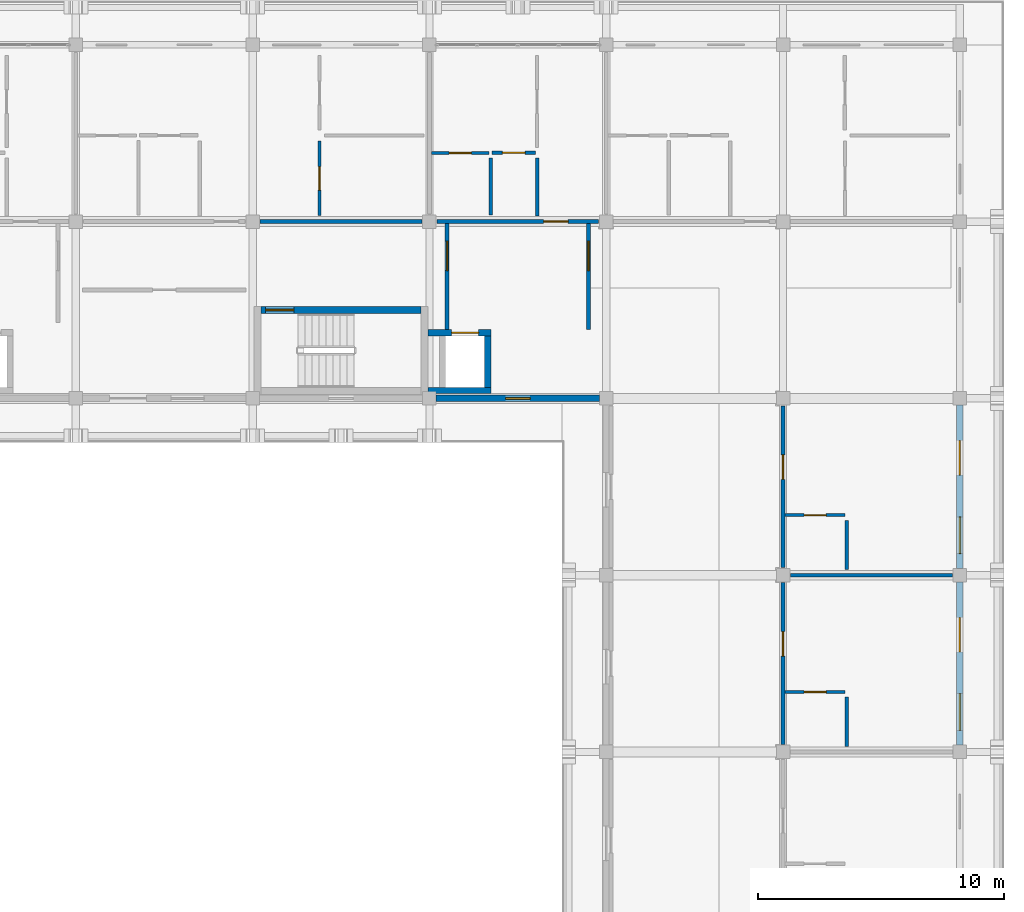
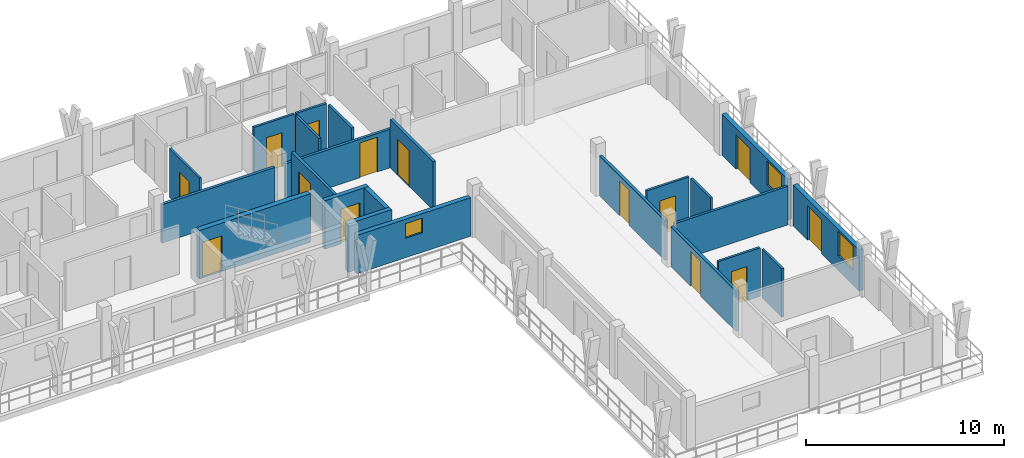
# One storey, part 51 of 67: 23 walls, 14 doors, 3 windows, 17 openings.
"""IFC4 building model written with IfcOpenShell, lengths in metres."""

from ifc_helpers import new_model, si_unit, direction, frame, frame_2d, origin, place, context, subcontext, project, spatial, rectangle, extrude, material, layer, layer_set, type_object, element, fill, save


model = new_model("IFC4")

# Units and contexts
model_context = context("Model", 3, precision=1e-05, world=origin(), true_north=direction((0.0, 1.0)))
body_context = subcontext(model_context, "Body", "Model", "MODEL_VIEW")
ifc_project = project(units=[si_unit("LENGTHUNIT", "METRE"), si_unit("AREAUNIT", "SQUARE_METRE"), si_unit("VOLUMEUNIT", "CUBIC_METRE"), si_unit("PLANEANGLEUNIT", "RADIAN"), si_unit("MASSUNIT", "GRAM", prefix="KILO")], contexts=[model_context])

# Site, building, storey
site_placement = place(None, origin())
site = spatial("IfcSite", under=ifc_project, at=site_placement, CompositionType="ELEMENT")
building_placement = place(site_placement, origin())
building = spatial("IfcBuilding", under=site, at=building_placement, Name="Suanplinth Sawtooth Commons", CompositionType="ELEMENT")
storey_placement = place(building_placement, frame((0.0, 0.0, 25.10009765625)))
storey = spatial("IfcBuildingStorey", under=building, at=storey_placement, Name="L07", CompositionType="ELEMENT", Elevation=25.10009765625)

# Wall, opening, door
ifc_material_1 = material(Name="Concrete C40/50", Category="concrete")
ifc_layer_1 = layer(ifc_material_1, 0.300048828125, Name="Standard RC stair and lift core wall 300mm")
ifc_layer_set_1 = layer_set([ifc_layer_1], Name="Concrete C40/50")
wall_type_1 = type_object("IfcWallType", Name="W-CR02", PredefinedType="SHEAR", material=ifc_layer_set_1)
wall_1_placement = place(storey_placement, frame((158.75, 111.60009765625, 0.0), z_axis=(0.0, 0.0, 1.0), x_axis=(1.0, 0.0, 0.0)))
wall_1 = element("IfcWall", 1, at=wall_1_placement, inside=storey, type_object=wall_type_1, Name="W-L07-C-B2-STN", PredefinedType="SHEAR", context=body_context, shape_type="SweptSolid", body=[
    extrude(rectangle(XDim=6.5, YDim=0.300048828125, at=frame_2d((3.25, 0.0))), origin(), (0.0, 0.0, 1.0), 2.989990234375),
])
opening_1_placement = place(wall_1_placement, frame((0.179931640625, 0.0, 0.0)))
opening_1 = element("IfcOpeningElement", 2, at=opening_1_placement, cuts=wall_1, Name="Opening FD0252", PredefinedType="OPENING", context=body_context, shape_type="SweptSolid", body=[
    extrude(rectangle(XDim=1.14990234375, YDim=2.199951171875, at=frame_2d((0.574951171875, 1.10009765625))), frame((0.0, 0.1650390625, 0.0), z_axis=(0.0, -1.0, 0.0), x_axis=(1.0, 0.0, 0.0)), (0.0, 0.0, 1.0), 0.329833984375),
])
ifc_material_2 = material(Name="Teak hardwood fire-rated door assembly", Category="wood")
door_type_1 = type_object("IfcDoorType", Name="FD-01", OperationType="NOTDEFINED", PredefinedType="DOOR", material=ifc_material_2)
door_1_placement = place(opening_1_placement, frame((1.14990234375, 0.0, 0.0), z_axis=(0.0, 0.0, 1.0), x_axis=(-1.0, 0.0, 0.0)))
door_1 = element("IfcDoor", 3, at=door_1_placement, inside=storey, type_object=door_type_1, Name="Exit Stair Fire Door FD0252", OperationType="SINGLE_SWING_LEFT", OverallHeight=2.199951171875, OverallWidth=1.14990234375, PredefinedType="DOOR", context=body_context, shape_type="SweptSolid", body=[
    extrude(rectangle(XDim=1.14990234375, YDim=2.199951171875, at=frame_2d((0.574951171875, 1.10009765625))), frame((0.0, 0.02490234375, 0.0), z_axis=(0.0, -1.0, 0.0), x_axis=(1.0, 0.0, 0.0)), (0.0, 0.0, 1.0), 0.050048828125),
])
fill(opening_1, door_1)

# Wall, opening, window
ifc_material_3 = material(Name="Precast concrete C40/50", Category="concrete")
ifc_layer_2 = layer(ifc_material_3, 0.260009765625, Name="Insulated precast courtyard facade wall 260mm")
ifc_layer_set_2 = layer_set([ifc_layer_2], Name="Precast concrete C40/50")
wall_type_2 = type_object("IfcWallType", Name="W-EX02", PredefinedType="ELEMENTEDWALL", material=ifc_layer_set_2)
wall_2_placement = place(storey_placement, frame((165.875, 108.0, 0.0), z_axis=(0.0, 0.0, 1.0), x_axis=(1.0, 0.0, 0.0)))
wall_2 = element("IfcWall", 4, at=wall_2_placement, inside=storey, type_object=wall_type_2, Name="Facade Wall W-L07-B-S-23-15", PredefinedType="ELEMENTEDWALL", context=body_context, shape_type="SweptSolid", body=[
    extrude(rectangle(XDim=6.64990234375, YDim=0.260009765625, at=frame_2d((3.324951171875, 0.0))), origin(), (0.0, 0.0, 1.0), 2.375),
])
opening_2_placement = place(wall_2_placement, frame((2.824951171875, 0.0, 1.199951171875)))
opening_2 = element("IfcOpeningElement", 5, at=opening_2_placement, cuts=wall_2, Name="Opening W0663", PredefinedType="OPENING", context=body_context, shape_type="SweptSolid", body=[
    extrude(rectangle(XDim=1.0, YDim=0.89990234375, at=frame_2d((0.5, 0.449951171875))), frame((0.0, 0.14501953125, 0.0), z_axis=(0.0, -1.0, 0.0), x_axis=(1.0, 0.0, 0.0)), (0.0, 0.0, 1.0), 0.289794921875),
])
ifc_material_4 = material(Name="Thermally broken aluminium and low-E double glazing", Category="aluminium")
window_type_1 = type_object("IfcWindowType", Name="WN-12", PartitioningType="SINGLE_PANEL", PredefinedType="WINDOW", material=ifc_material_4)
window_1_placement = place(opening_2_placement, origin())
window_1 = element("IfcWindow", 6, at=window_1_placement, inside=storey, type_object=window_type_1, Name="Core Daylight Window L07-B-23-15", OverallHeight=0.89990234375, OverallWidth=1.0, PartitioningType="SINGLE_PANEL", PredefinedType="WINDOW", context=body_context, shape_type="SweptSolid", body=[
    extrude(rectangle(XDim=1.0, YDim=0.89990234375, at=frame_2d((0.5, 0.449951171875))), frame((0.0, 0.030029296875, 0.0), z_axis=(0.0, -1.0, 0.0), x_axis=(1.0, 0.0, 0.0)), (0.0, 0.0, 1.0), 0.06005859375),
])
fill(opening_2, window_1)

# Wall, openings, door, window
wall_3_placement = place(storey_placement, frame((187.199951171875, 93.875, 0.0), z_axis=(0.0, 0.0, 1.0), x_axis=(0.0, 1.0, 0.0)))
wall_3 = element("IfcWall", 7, at=wall_3_placement, inside=storey, type_object=wall_type_2, Name="Facade Wall W-L07-B-E-25-13", PredefinedType="ELEMENTEDWALL", context=body_context, shape_type="SweptSolid", body=[
    extrude(rectangle(XDim=6.64990234375, YDim=0.260009765625, at=frame_2d((3.324951171875, 0.0))), origin(), (0.0, 0.0, 1.0), 2.52490234375),
])
opening_3_placement = place(wall_3_placement, frame((3.800048828125, 0.0, 0.0)))
opening_3 = element("IfcOpeningElement", 8, at=opening_3_placement, cuts=wall_3, Name="Opening ED0586", PredefinedType="OPENING", context=body_context, shape_type="SweptSolid", body=[
    extrude(rectangle(XDim=1.39990234375, YDim=2.10009765625, at=frame_2d((0.699951171875, 1.050048828125))), frame((0.0, 0.14501953125, 0.0), z_axis=(0.0, -1.0, 0.0), x_axis=(1.0, 0.0, 0.0)), (0.0, 0.0, 1.0), 0.289794921875),
])
opening_4_placement = place(wall_3_placement, frame((0.60009765625, 0.0, 0.9150390625)))
opening_4 = element("IfcOpeningElement", 9, at=opening_4_placement, cuts=wall_3, Name="Opening W0667", PredefinedType="OPENING", context=body_context, shape_type="SweptSolid", body=[
    extrude(rectangle(XDim=1.5, YDim=1.5, at=frame_2d((0.75, 0.75))), frame((0.0, 0.14501953125, 0.0), z_axis=(0.0, -1.0, 0.0), x_axis=(1.0, 0.0, 0.0)), (0.0, 0.0, 1.0), 0.289794921875),
])
ifc_material_5 = material(Name="Anodized aluminium and low-E glass", Category="aluminium")
door_type_2 = type_object("IfcDoorType", Name="SD-07", OperationType="SLIDING_TO_RIGHT", PredefinedType="DOOR", material=ifc_material_5)
door_2_placement = place(opening_3_placement, frame((1.39990234375, 0.0, 0.0), z_axis=(0.0, 0.0, 1.0), x_axis=(-1.0, 0.0, 0.0)))
door_2 = element("IfcDoor", 10, at=door_2_placement, inside=storey, type_object=door_type_2, Name="Wing Balcony Sliding Door L07-B-13", OperationType="SLIDING_TO_RIGHT", OverallHeight=2.10009765625, OverallWidth=1.39990234375, PredefinedType="DOOR", context=body_context, shape_type="SweptSolid", body=[
    extrude(rectangle(XDim=1.39990234375, YDim=2.10009765625, at=frame_2d((0.699951171875, 1.050048828125))), frame((0.0, 0.02490234375, 0.0), z_axis=(0.0, -1.0, 0.0), x_axis=(1.0, 0.0, 0.0)), (0.0, 0.0, 1.0), 0.050048828125),
])
fill(opening_3, door_2)
window_type_2 = type_object("IfcWindowType", Name="WN-02", PartitioningType="DOUBLE_PANEL_VERTICAL", PredefinedType="WINDOW", material=ifc_material_4)
window_2_placement = place(opening_4_placement, origin())
window_2 = element("IfcWindow", 11, at=window_2_placement, inside=storey, type_object=window_type_2, Name="Wing Window L07-B-13", OverallHeight=1.5, OverallWidth=1.5, PartitioningType="DOUBLE_PANEL_VERTICAL", PredefinedType="WINDOW", context=body_context, shape_type="SweptSolid", body=[
    extrude(rectangle(XDim=1.5, YDim=1.5, at=frame_2d((0.75, 0.75))), frame((0.0, 0.030029296875, 0.0), z_axis=(0.0, -1.0, 0.0), x_axis=(1.0, 0.0, 0.0)), (0.0, 0.0, 1.0), 0.06005859375),
])
fill(opening_4, window_2)

wall_4_placement = place(storey_placement, frame((187.199951171875, 101.074951171875, 0.0), z_axis=(0.0, 0.0, 1.0), x_axis=(0.0, 1.0, 0.0)))
wall_4 = element("IfcWall", 12, at=wall_4_placement, inside=storey, type_object=wall_type_2, Name="Facade Wall W-L07-B-E-25-14", PredefinedType="ELEMENTEDWALL", context=body_context, shape_type="SweptSolid", body=[
    extrude(rectangle(XDim=6.650146484375, YDim=0.260009765625, at=frame_2d((3.3251953125, 0.0))), origin(), (0.0, 0.0, 1.0), 2.52490234375),
])
opening_5_placement = place(wall_4_placement, frame((3.800048828125, 0.0, 0.0)))
opening_5 = element("IfcOpeningElement", 13, at=opening_5_placement, cuts=wall_4, Name="Opening ED0587", PredefinedType="OPENING", context=body_context, shape_type="SweptSolid", body=[
    extrude(rectangle(XDim=1.39990234375, YDim=2.10009765625, at=frame_2d((0.699951171875, 1.050048828125))), frame((0.0, 0.14501953125, 0.0), z_axis=(0.0, -1.0, 0.0), x_axis=(1.0, 0.0, 0.0)), (0.0, 0.0, 1.0), 0.289794921875),
])
opening_6_placement = place(wall_4_placement, frame((0.60009765625, 0.0, 0.9150390625)))
opening_6 = element("IfcOpeningElement", 14, at=opening_6_placement, cuts=wall_4, Name="Opening W0668", PredefinedType="OPENING", context=body_context, shape_type="SweptSolid", body=[
    extrude(rectangle(XDim=1.5, YDim=1.5, at=frame_2d((0.75, 0.75))), frame((0.0, 0.14501953125, 0.0), z_axis=(0.0, -1.0, 0.0), x_axis=(1.0, 0.0, 0.0)), (0.0, 0.0, 1.0), 0.289794921875),
])
door_3_placement = place(opening_5_placement, frame((1.39990234375, 0.0, 0.0), z_axis=(0.0, 0.0, 1.0), x_axis=(-1.0, 0.0, 0.0)))
door_3 = element("IfcDoor", 15, at=door_3_placement, inside=storey, type_object=door_type_2, Name="Wing Balcony Sliding Door L07-B-14", OperationType="SLIDING_TO_RIGHT", OverallHeight=2.10009765625, OverallWidth=1.39990234375, PredefinedType="DOOR", context=body_context, shape_type="SweptSolid", body=[
    extrude(rectangle(XDim=1.39990234375, YDim=2.10009765625, at=frame_2d((0.699951171875, 1.050048828125))), frame((0.0, 0.02490234375, 0.0), z_axis=(0.0, -1.0, 0.0), x_axis=(1.0, 0.0, 0.0)), (0.0, 0.0, 1.0), 0.050048828125),
])
fill(opening_5, door_3)
window_3_placement = place(opening_6_placement, origin())
window_3 = element("IfcWindow", 16, at=window_3_placement, inside=storey, type_object=window_type_2, Name="Wing Window L07-B-14", OverallHeight=1.5, OverallWidth=1.5, PartitioningType="DOUBLE_PANEL_VERTICAL", PredefinedType="WINDOW", context=body_context, shape_type="SweptSolid", body=[
    extrude(rectangle(XDim=1.5, YDim=1.5, at=frame_2d((0.75, 0.75))), frame((0.0, 0.030029296875, 0.0), z_axis=(0.0, -1.0, 0.0), x_axis=(1.0, 0.0, 0.0)), (0.0, 0.0, 1.0), 0.06005859375),
])
fill(opening_6, window_3)

# Wall, opening, door
ifc_layer_3 = layer(ifc_material_3, 0.159912109375, Name="Fire-rated corridor and lobby wall 160mm")
ifc_layer_set_3 = layer_set([ifc_layer_3], Name="Precast concrete C40/50")
wall_type_3 = type_object("IfcWallType", Name="W-FW01", PredefinedType="PARTITIONING", material=ifc_layer_set_3)
wall_5_placement = place(storey_placement, frame((166.320068359375, 110.800048828125, 0.0), z_axis=(0.0, 0.0, 1.0), x_axis=(0.0, 1.0, 0.0)))
wall_5 = element("IfcWall", 17, at=wall_5_placement, inside=storey, type_object=wall_type_3, Name="W-L07-C-B2-LOB-W", PredefinedType="PARTITIONING", context=body_context, shape_type="SweptSolid", body=[
    extrude(rectangle(XDim=4.320068359375, YDim=0.159912109375, at=frame_2d((2.16015625, 0.0))), origin(), (0.0, 0.0, 1.0), 2.989990234375),
])
opening_7_placement = place(wall_5_placement, frame((2.39990234375, 0.0, 0.0)))
opening_7 = element("IfcOpeningElement", 18, at=opening_7_placement, cuts=wall_5, Name="Opening FD0253", PredefinedType="OPENING", context=body_context, shape_type="SweptSolid", body=[
    extrude(rectangle(XDim=1.199951171875, YDim=2.199951171875, at=frame_2d((0.60009765625, 1.10009765625))), frame((0.0, 0.0947265625, 0.0), z_axis=(0.0, -1.0, 0.0), x_axis=(1.0, 0.0, 0.0)), (0.0, 0.0, 1.0), 0.189697265625),
])
door_type_3 = type_object("IfcDoorType", Name="FD-02", OperationType="NOTDEFINED", PredefinedType="DOOR", material=ifc_material_2)
door_4_placement = place(opening_7_placement, origin())
door_4 = element("IfcDoor", 19, at=door_4_placement, inside=storey, type_object=door_type_3, Name="Lobby Fire Door FD0253", OperationType="SINGLE_SWING_RIGHT", OverallHeight=2.199951171875, OverallWidth=1.199951171875, PredefinedType="DOOR", context=body_context, shape_type="SweptSolid", body=[
    extrude(rectangle(XDim=1.199951171875, YDim=2.199951171875, at=frame_2d((0.60009765625, 1.10009765625))), frame((0.0, 0.02490234375, 0.0), z_axis=(0.0, -1.0, 0.0), x_axis=(1.0, 0.0, 0.0)), (0.0, 0.0, 1.0), 0.050048828125),
])
fill(opening_7, door_4)

wall_6_placement = place(storey_placement, frame((172.080078125, 110.800048828125, 0.0), z_axis=(0.0, 0.0, 1.0), x_axis=(0.0, 1.0, 0.0)))
wall_6 = element("IfcWall", 20, at=wall_6_placement, inside=storey, type_object=wall_type_3, Name="W-L07-C-B2-LOB-E", PredefinedType="PARTITIONING", context=body_context, shape_type="SweptSolid", body=[
    extrude(rectangle(XDim=4.320068359375, YDim=0.159912109375, at=frame_2d((2.16015625, 0.0))), origin(), (0.0, 0.0, 1.0), 2.989990234375),
])
opening_8_placement = place(wall_6_placement, frame((2.39990234375, 0.0, 0.0)))
opening_8 = element("IfcOpeningElement", 21, at=opening_8_placement, cuts=wall_6, Name="Opening FD0254", PredefinedType="OPENING", context=body_context, shape_type="SweptSolid", body=[
    extrude(rectangle(XDim=1.199951171875, YDim=2.199951171875, at=frame_2d((0.60009765625, 1.10009765625))), frame((0.0, 0.0947265625, 0.0), z_axis=(0.0, -1.0, 0.0), x_axis=(1.0, 0.0, 0.0)), (0.0, 0.0, 1.0), 0.189697265625),
])
door_5_placement = place(opening_8_placement, frame((1.199951171875, 0.0, 0.0), z_axis=(0.0, 0.0, 1.0), x_axis=(-1.0, 0.0, 0.0)))
door_5 = element("IfcDoor", 22, at=door_5_placement, inside=storey, type_object=door_type_3, Name="Lobby Fire Door FD0254", OperationType="SINGLE_SWING_LEFT", OverallHeight=2.199951171875, OverallWidth=1.199951171875, PredefinedType="DOOR", context=body_context, shape_type="SweptSolid", body=[
    extrude(rectangle(XDim=1.199951171875, YDim=2.199951171875, at=frame_2d((0.60009765625, 1.10009765625))), frame((0.0, 0.02490234375, 0.0), z_axis=(0.0, -1.0, 0.0), x_axis=(1.0, 0.0, 0.0)), (0.0, 0.0, 1.0), 0.050048828125),
])
fill(opening_8, door_5)

# Wall
wall_7_placement = place(storey_placement, frame((158.705078125, 115.199951171875, 0.0), z_axis=(0.0, 0.0, 1.0), x_axis=(1.0, 0.0, 0.0)))
element("IfcWall", 23, at=wall_7_placement, inside=storey, type_object=wall_type_3, Name="W-B-L07-U03-COR-S2", PredefinedType="PARTITIONING", context=body_context, shape_type="SweptSolid", body=[
    extrude(rectangle(XDim=6.58984375, YDim=0.159912109375, at=frame_2d((3.294921875, 0.0))), origin(), (0.0, 0.0, 1.0), 2.375),
])

# Wall, opening, door
wall_8_placement = place(storey_placement, frame((165.905029296875, 115.199951171875, 0.0), z_axis=(0.0, 0.0, 1.0), x_axis=(1.0, 0.0, 0.0)))
wall_8 = element("IfcWall", 24, at=wall_8_placement, inside=storey, type_object=wall_type_3, Name="W-B-L07-U04-COR", PredefinedType="PARTITIONING", context=body_context, shape_type="SweptSolid", body=[
    extrude(rectangle(XDim=6.590087890625, YDim=0.159912109375, at=frame_2d((3.294921875, 0.0))), origin(), (0.0, 0.0, 1.0), 2.375),
])
opening_9_placement = place(wall_8_placement, frame((4.344970703125, 0.0, 0.0)))
opening_9 = element("IfcOpeningElement", 25, at=opening_9_placement, cuts=wall_8, Name="Opening FD1553", PredefinedType="OPENING", context=body_context, shape_type="SweptSolid", body=[
    extrude(rectangle(XDim=1.0, YDim=2.14990234375, at=frame_2d((0.5, 1.074951171875))), frame((0.0, 0.0947265625, 0.0), z_axis=(0.0, -1.0, 0.0), x_axis=(1.0, 0.0, 0.0)), (0.0, 0.0, 1.0), 0.189697265625),
])
door_type_4 = type_object("IfcDoorType", Name="FD-03", OperationType="NOTDEFINED", PredefinedType="DOOR", material=ifc_material_2)
door_6_placement = place(opening_9_placement, origin())
door_6 = element("IfcDoor", 26, at=door_6_placement, inside=storey, type_object=door_type_4, Name="Unit Entrance Door FD1553", OperationType="SINGLE_SWING_LEFT", OverallHeight=2.14990234375, OverallWidth=1.0, PredefinedType="DOOR", context=body_context, shape_type="SweptSolid", body=[
    extrude(rectangle(XDim=1.0, YDim=2.14990234375, at=frame_2d((0.5, 1.074951171875))), frame((0.0, 0.02490234375, 0.0), z_axis=(0.0, -1.0, 0.0), x_axis=(1.0, 0.0, 0.0)), (0.0, 0.0, 1.0), 0.050048828125),
])
fill(opening_9, door_6)

wall_9_placement = place(storey_placement, frame((180.0, 93.905029296875, 0.0), z_axis=(0.0, 0.0, 1.0), x_axis=(0.0, 1.0, 0.0)))
wall_9 = element("IfcWall", 27, at=wall_9_placement, inside=storey, type_object=wall_type_3, Name="W-B-L07-L02-COR", PredefinedType="PARTITIONING", context=body_context, shape_type="SweptSolid", body=[
    extrude(rectangle(XDim=6.590087890625, YDim=0.159912109375, at=frame_2d((3.294921875, 0.0))), origin(), (0.0, 0.0, 1.0), 2.474853515625),
])
opening_10_placement = place(wall_9_placement, frame((3.594970703125, 0.0, 0.0)))
opening_10 = element("IfcOpeningElement", 28, at=opening_10_placement, cuts=wall_9, Name="Opening FD1567", PredefinedType="OPENING", context=body_context, shape_type="SweptSolid", body=[
    extrude(rectangle(XDim=1.0, YDim=2.14990234375, at=frame_2d((0.5, 1.074951171875))), frame((0.0, 0.0947265625, 0.0), z_axis=(0.0, -1.0, 0.0), x_axis=(1.0, 0.0, 0.0)), (0.0, 0.0, 1.0), 0.189697265625),
])
door_7_placement = place(opening_10_placement, frame((1.0, 0.0, 0.0), z_axis=(0.0, 0.0, 1.0), x_axis=(-1.0, 0.0, 0.0)))
door_7 = element("IfcDoor", 29, at=door_7_placement, inside=storey, type_object=door_type_4, Name="Wing Unit Entrance Door FD1567", OperationType="SINGLE_SWING_LEFT", OverallHeight=2.14990234375, OverallWidth=1.0, PredefinedType="DOOR", context=body_context, shape_type="SweptSolid", body=[
    extrude(rectangle(XDim=1.0, YDim=2.14990234375, at=frame_2d((0.5, 1.074951171875))), frame((0.0, 0.02490234375, 0.0), z_axis=(0.0, -1.0, 0.0), x_axis=(1.0, 0.0, 0.0)), (0.0, 0.0, 1.0), 0.050048828125),
])
fill(opening_10, door_7)

wall_10_placement = place(storey_placement, frame((180.0, 101.10498046875, 0.0), z_axis=(0.0, 0.0, 1.0), x_axis=(0.0, 1.0, 0.0)))
wall_10 = element("IfcWall", 30, at=wall_10_placement, inside=storey, type_object=wall_type_3, Name="W-B-L07-L03-COR", PredefinedType="PARTITIONING", context=body_context, shape_type="SweptSolid", body=[
    extrude(rectangle(XDim=6.590087890625, YDim=0.159912109375, at=frame_2d((3.294921875, 0.0))), origin(), (0.0, 0.0, 1.0), 2.474853515625),
])
opening_11_placement = place(wall_10_placement, frame((3.594970703125, 0.0, 0.0)))
opening_11 = element("IfcOpeningElement", 31, at=opening_11_placement, cuts=wall_10, Name="Opening FD1570", PredefinedType="OPENING", context=body_context, shape_type="SweptSolid", body=[
    extrude(rectangle(XDim=1.0, YDim=2.14990234375, at=frame_2d((0.5, 1.074951171875))), frame((0.0, 0.0947265625, 0.0), z_axis=(0.0, -1.0, 0.0), x_axis=(1.0, 0.0, 0.0)), (0.0, 0.0, 1.0), 0.189697265625),
])
door_8_placement = place(opening_11_placement, frame((1.0, 0.0, 0.0), z_axis=(0.0, 0.0, 1.0), x_axis=(-1.0, 0.0, 0.0)))
door_8 = element("IfcDoor", 32, at=door_8_placement, inside=storey, type_object=door_type_4, Name="Wing Unit Entrance Door FD1570", OperationType="SINGLE_SWING_RIGHT", OverallHeight=2.14990234375, OverallWidth=1.0, PredefinedType="DOOR", context=body_context, shape_type="SweptSolid", body=[
    extrude(rectangle(XDim=1.0, YDim=2.14990234375, at=frame_2d((0.5, 1.074951171875))), frame((0.0, 0.02490234375, 0.0), z_axis=(0.0, -1.0, 0.0), x_axis=(1.0, 0.0, 0.0)), (0.0, 0.0, 1.0), 0.050048828125),
])
fill(opening_11, door_8)

# Wall
ifc_layer_4 = layer(ifc_material_3, 0.14990234375, Name="Acoustic precast party demising wall 150mm")
ifc_layer_set_4 = layer_set([ifc_layer_4], Name="Precast concrete C40/50")
wall_type_4 = type_object("IfcWallType", Name="W-FW02", PredefinedType="PARTITIONING", material=ifc_layer_set_4)
wall_11_placement = place(storey_placement, frame((180.304931640625, 100.800048828125, 0.0), z_axis=(0.0, 0.0, 1.0), x_axis=(1.0, 0.0, 0.0)))
element("IfcWall", 33, at=wall_11_placement, inside=storey, type_object=wall_type_4, Name="W-B-L07-L02-PTY", PredefinedType="PARTITIONING", context=body_context, shape_type="SweptSolid", body=[
    extrude(rectangle(XDim=6.590087890625, YDim=0.14990234375, at=frame_2d((3.294921875, 0.0))), origin(), (0.0, 0.0, 1.0), 2.375),
])

# Wall, opening, door
ifc_material_6 = material(Name="Gypsum plasterboard on steel stud", Category="steel")
ifc_layer_5 = layer(ifc_material_6, 0.139892578125, Name="Fire-rated kitchen partition 140mm")
ifc_layer_set_5 = layer_set([ifc_layer_5], Name="Gypsum plasterboard on steel stud")
wall_type_5 = type_object("IfcWallType", Name="W-PT01", PredefinedType="PARTITIONING", material=ifc_layer_set_5)
wall_12_placement = place(storey_placement, frame((168.14990234375, 118.0, 0.0), z_axis=(0.0, 0.0, 1.0), x_axis=(1.0, 0.0, 0.0)))
wall_12 = element("IfcWall", 34, at=wall_12_placement, inside=storey, type_object=wall_type_5, Name="W-B-L07-U04-KIT1", PredefinedType="PARTITIONING", context=body_context, shape_type="SweptSolid", body=[
    extrude(rectangle(XDim=1.77001953125, YDim=0.139892578125, at=frame_2d((0.885009765625, 0.0))), origin(), (0.0, 0.0, 1.0), 2.989990234375),
])
opening_12_placement = place(wall_12_placement, frame((0.425048828125, 0.0, 0.0)))
opening_12 = element("IfcOpeningElement", 35, at=opening_12_placement, cuts=wall_12, Name="Opening D1555", PredefinedType="OPENING", context=body_context, shape_type="SweptSolid", body=[
    extrude(rectangle(XDim=0.919921875, YDim=2.10009765625, at=frame_2d((0.4599609375, 1.050048828125))), frame((0.0, 0.0849609375, 0.0), z_axis=(0.0, -1.0, 0.0), x_axis=(1.0, 0.0, 0.0)), (0.0, 0.0, 1.0), 0.169677734375),
])
ifc_material_7 = material(Name="Teak hardwood", Category="wood")
door_type_5 = type_object("IfcDoorType", Name="D-02", OperationType="NOTDEFINED", PredefinedType="DOOR", material=ifc_material_7)
door_9_placement = place(opening_12_placement, frame((0.919921875, 0.0, 0.0), z_axis=(0.0, 0.0, 1.0), x_axis=(-1.0, 0.0, 0.0)))
door_9 = element("IfcDoor", 36, at=door_9_placement, inside=storey, type_object=door_type_5, Name="Kitchen Door D1555", OperationType="SINGLE_SWING_LEFT", OverallHeight=2.10009765625, OverallWidth=0.919921875, PredefinedType="DOOR", context=body_context, shape_type="SweptSolid", body=[
    extrude(rectangle(XDim=0.919921875, YDim=2.10009765625, at=frame_2d((0.4599609375, 1.050048828125))), frame((0.0, 0.02490234375, 0.0), z_axis=(0.0, -1.0, 0.0), x_axis=(1.0, 0.0, 0.0)), (0.0, 0.0, 1.0), 0.050048828125),
])
fill(opening_12, door_9)

# Wall
wall_13_placement = place(storey_placement, frame((169.989990234375, 115.429931640625, 0.0), z_axis=(0.0, 0.0, 1.0), x_axis=(0.0, 1.0, 0.0)))
element("IfcWall", 37, at=wall_13_placement, inside=storey, type_object=wall_type_5, Name="W-B-L07-U04-KIT2", PredefinedType="PARTITIONING", context=body_context, shape_type="SweptSolid", body=[
    extrude(rectangle(XDim=2.35009765625, YDim=0.139892578125, at=frame_2d((1.175048828125, 0.0))), origin(), (0.0, 0.0, 1.0), 2.989990234375),
])

# Wall, opening, door
ifc_layer_6 = layer(ifc_material_6, 0.1298828125, Name="Moisture-resistant bathroom partition 130mm")
ifc_layer_set_6 = layer_set([ifc_layer_6], Name="Gypsum plasterboard on steel stud")
wall_type_6 = type_object("IfcWallType", Name="W-PT02", PredefinedType="PARTITIONING", material=ifc_layer_set_6)
wall_14_placement = place(storey_placement, frame((165.679931640625, 117.9951171875, 0.0), z_axis=(0.0, 0.0, 1.0), x_axis=(1.0, 0.0, 0.0)))
wall_14 = element("IfcWall", 38, at=wall_14_placement, inside=storey, type_object=wall_type_6, Name="W-B-L07-U04-BTH1", PredefinedType="PARTITIONING", context=body_context, shape_type="SweptSolid", body=[
    extrude(rectangle(XDim=2.35009765625, YDim=0.1298828125, at=frame_2d((1.175048828125, 0.0))), origin(), (0.0, 0.0, 1.0), 2.989990234375),
])
opening_13_placement = place(wall_14_placement, frame((0.72509765625, 0.0, 0.0)))
opening_13 = element("IfcOpeningElement", 39, at=opening_13_placement, cuts=wall_14, Name="Opening D1554", PredefinedType="OPENING", context=body_context, shape_type="SweptSolid", body=[
    extrude(rectangle(XDim=0.89990234375, YDim=2.10009765625, at=frame_2d((0.449951171875, 1.050048828125))), frame((0.0, 0.079833984375, 0.0), z_axis=(0.0, -1.0, 0.0), x_axis=(1.0, 0.0, 0.0)), (0.0, 0.0, 1.0), 0.15966796875),
])
door_type_6 = type_object("IfcDoorType", Name="D-01", OperationType="NOTDEFINED", PredefinedType="DOOR", material=ifc_material_7)
door_10_placement = place(opening_13_placement, frame((0.89990234375, 0.0, 0.0), z_axis=(0.0, 0.0, 1.0), x_axis=(-1.0, 0.0, 0.0)))
door_10 = element("IfcDoor", 40, at=door_10_placement, inside=storey, type_object=door_type_6, Name="Bathroom Door D1554", OperationType="SINGLE_SWING_RIGHT", OverallHeight=2.10009765625, OverallWidth=0.89990234375, PredefinedType="DOOR", context=body_context, shape_type="SweptSolid", body=[
    extrude(rectangle(XDim=0.89990234375, YDim=2.10009765625, at=frame_2d((0.449951171875, 1.050048828125))), frame((0.0, 0.02490234375, 0.0), z_axis=(0.0, -1.0, 0.0), x_axis=(1.0, 0.0, 0.0)), (0.0, 0.0, 1.0), 0.050048828125),
])
fill(opening_13, door_10)

# Wall
wall_15_placement = place(storey_placement, frame((168.094970703125, 115.4599609375, 0.0), z_axis=(0.0, 0.0, 1.0), x_axis=(0.0, 1.0, 0.0)))
element("IfcWall", 41, at=wall_15_placement, inside=storey, type_object=wall_type_6, Name="W-B-L07-U04-BTH2", PredefinedType="PARTITIONING", context=body_context, shape_type="SweptSolid", body=[
    extrude(rectangle(XDim=2.330078125, YDim=0.1298828125, at=frame_2d((1.1650390625, 0.0))), origin(), (0.0, 0.0, 1.0), 2.989990234375),
])

# Wall, opening, door
wall_16_placement = place(storey_placement, frame((180.080078125, 96.044921875, 0.0), z_axis=(0.0, 0.0, 1.0), x_axis=(1.0, 0.0, 0.0)))
wall_16 = element("IfcWall", 42, at=wall_16_placement, inside=storey, type_object=wall_type_6, Name="W-B-L07-L02-BTH1", PredefinedType="PARTITIONING", context=body_context, shape_type="SweptSolid", body=[
    extrude(rectangle(XDim=2.449951171875, YDim=0.1298828125, at=frame_2d((1.22509765625, 0.0))), origin(), (0.0, 0.0, 1.0), 2.989990234375),
])
opening_14_placement = place(wall_16_placement, frame((0.77490234375, 0.0, 0.0)))
opening_14 = element("IfcOpeningElement", 43, at=opening_14_placement, cuts=wall_16, Name="Opening D1568", PredefinedType="OPENING", context=body_context, shape_type="SweptSolid", body=[
    extrude(rectangle(XDim=0.89990234375, YDim=2.10009765625, at=frame_2d((0.449951171875, 1.050048828125))), frame((0.0, 0.079833984375, 0.0), z_axis=(0.0, -1.0, 0.0), x_axis=(1.0, 0.0, 0.0)), (0.0, 0.0, 1.0), 0.15966796875),
])
door_11_placement = place(opening_14_placement, frame((0.89990234375, 0.0, 0.0), z_axis=(0.0, 0.0, 1.0), x_axis=(-1.0, 0.0, 0.0)))
door_11 = element("IfcDoor", 44, at=door_11_placement, inside=storey, type_object=door_type_6, Name="Bathroom Door D1568", OperationType="SINGLE_SWING_RIGHT", OverallHeight=2.10009765625, OverallWidth=0.89990234375, PredefinedType="DOOR", context=body_context, shape_type="SweptSolid", body=[
    extrude(rectangle(XDim=0.89990234375, YDim=2.10009765625, at=frame_2d((0.449951171875, 1.050048828125))), frame((0.0, 0.02490234375, 0.0), z_axis=(0.0, -1.0, 0.0), x_axis=(1.0, 0.0, 0.0)), (0.0, 0.0, 1.0), 0.050048828125),
])
fill(opening_14, door_11)

# Wall
wall_17_placement = place(storey_placement, frame((182.594970703125, 93.830078125, 0.0), z_axis=(0.0, 0.0, 1.0), x_axis=(0.0, 1.0, 0.0)))
element("IfcWall", 45, at=wall_17_placement, inside=storey, type_object=wall_type_6, Name="W-B-L07-L02-BTH2", PredefinedType="PARTITIONING", context=body_context, shape_type="SweptSolid", body=[
    extrude(rectangle(XDim=2.0, YDim=0.1298828125, at=frame_2d((1.0, 0.0))), origin(), (0.0, 0.0, 1.0), 2.989990234375),
])

# Wall, opening, door
wall_18_placement = place(storey_placement, frame((180.080078125, 103.2451171875, 0.0), z_axis=(0.0, 0.0, 1.0), x_axis=(1.0, 0.0, 0.0)))
wall_18 = element("IfcWall", 46, at=wall_18_placement, inside=storey, type_object=wall_type_6, Name="W-B-L07-L03-BTH1", PredefinedType="PARTITIONING", context=body_context, shape_type="SweptSolid", body=[
    extrude(rectangle(XDim=2.449951171875, YDim=0.1298828125, at=frame_2d((1.22509765625, 0.0))), origin(), (0.0, 0.0, 1.0), 2.989990234375),
])
opening_15_placement = place(wall_18_placement, frame((0.77490234375, 0.0, 0.0)))
opening_15 = element("IfcOpeningElement", 47, at=opening_15_placement, cuts=wall_18, Name="Opening D1571", PredefinedType="OPENING", context=body_context, shape_type="SweptSolid", body=[
    extrude(rectangle(XDim=0.89990234375, YDim=2.10009765625, at=frame_2d((0.449951171875, 1.050048828125))), frame((0.0, 0.079833984375, 0.0), z_axis=(0.0, -1.0, 0.0), x_axis=(1.0, 0.0, 0.0)), (0.0, 0.0, 1.0), 0.15966796875),
])
door_12_placement = place(opening_15_placement, frame((0.89990234375, 0.0, 0.0), z_axis=(0.0, 0.0, 1.0), x_axis=(-1.0, 0.0, 0.0)))
door_12 = element("IfcDoor", 48, at=door_12_placement, inside=storey, type_object=door_type_6, Name="Bathroom Door D1571", OperationType="SINGLE_SWING_LEFT", OverallHeight=2.10009765625, OverallWidth=0.89990234375, PredefinedType="DOOR", context=body_context, shape_type="SweptSolid", body=[
    extrude(rectangle(XDim=0.89990234375, YDim=2.10009765625, at=frame_2d((0.449951171875, 1.050048828125))), frame((0.0, 0.02490234375, 0.0), z_axis=(0.0, -1.0, 0.0), x_axis=(1.0, 0.0, 0.0)), (0.0, 0.0, 1.0), 0.050048828125),
])
fill(opening_15, door_12)

# Wall
wall_19_placement = place(storey_placement, frame((182.594970703125, 101.030029296875, 0.0), z_axis=(0.0, 0.0, 1.0), x_axis=(0.0, 1.0, 0.0)))
element("IfcWall", 49, at=wall_19_placement, inside=storey, type_object=wall_type_6, Name="W-B-L07-L03-BTH2", PredefinedType="PARTITIONING", context=body_context, shape_type="SweptSolid", body=[
    extrude(rectangle(XDim=2.0, YDim=0.1298828125, at=frame_2d((1.0, 0.0))), origin(), (0.0, 0.0, 1.0), 2.989990234375),
])

# Wall, opening, door
ifc_layer_7 = layer(ifc_material_6, 0.1201171875, Name="Acoustic bedroom partition 120mm")
ifc_layer_set_7 = layer_set([ifc_layer_7], Name="Gypsum plasterboard on steel stud")
wall_type_7 = type_object("IfcWallType", Name="W-PT03", PredefinedType="PARTITIONING", material=ifc_layer_set_7)
wall_20_placement = place(storey_placement, frame((161.1201171875, 115.43994140625, 0.0), z_axis=(0.0, 0.0, 1.0), x_axis=(0.0, 1.0, 0.0)))
wall_20 = element("IfcWall", 50, at=wall_20_placement, inside=storey, type_object=wall_type_7, Name="W-B-L07-U03-BED2", PredefinedType="PARTITIONING", context=body_context, shape_type="SweptSolid", body=[
    extrude(rectangle(XDim=3.0400390625, YDim=0.1201171875, at=frame_2d((1.52001953125, 0.0))), origin(), (0.0, 0.0, 1.0), 2.989990234375),
])
opening_16_placement = place(wall_20_placement, frame((1.0400390625, 0.0, 0.0)))
opening_16 = element("IfcOpeningElement", 51, at=opening_16_placement, cuts=wall_20, Name="Opening D1552", PredefinedType="OPENING", context=body_context, shape_type="SweptSolid", body=[
    extrude(rectangle(XDim=0.9599609375, YDim=2.14990234375, at=frame_2d((0.47998046875, 1.074951171875))), frame((0.0, 0.074951171875, 0.0), z_axis=(0.0, -1.0, 0.0), x_axis=(1.0, 0.0, 0.0)), (0.0, 0.0, 1.0), 0.14990234375),
])
door_type_7 = type_object("IfcDoorType", Name="D-13", OperationType="NOTDEFINED", PredefinedType="DOOR", material=ifc_material_7)
door_13_placement = place(opening_16_placement, frame((0.9599609375, 0.0, 0.0), z_axis=(0.0, 0.0, 1.0), x_axis=(-1.0, 0.0, 0.0)))
door_13 = element("IfcDoor", 52, at=door_13_placement, inside=storey, type_object=door_type_7, Name="Second Bedroom Door D1552", OperationType="SINGLE_SWING_RIGHT", OverallHeight=2.14990234375, OverallWidth=0.9599609375, PredefinedType="DOOR", context=body_context, shape_type="SweptSolid", body=[
    extrude(rectangle(XDim=0.9599609375, YDim=2.14990234375, at=frame_2d((0.47998046875, 1.074951171875))), frame((0.0, 0.02490234375, 0.0), z_axis=(0.0, -1.0, 0.0), x_axis=(1.0, 0.0, 0.0)), (0.0, 0.0, 1.0), 0.050048828125),
])
fill(opening_16, door_13)

# Wall
ifc_layer_8 = layer(ifc_material_3, 0.25, Name="Precast structural shear wall 250mm")
ifc_layer_set_8 = layer_set([ifc_layer_8], Name="Precast concrete C40/50")
wall_type_8 = type_object("IfcWallType", Name="W-SH01", PredefinedType="SHEAR", material=ifc_layer_set_8)
wall_21_placement = place(storey_placement, frame((165.550048828125, 108.324951171875, 0.0), z_axis=(0.0, 0.0, 1.0), x_axis=(1.0, 0.0, 0.0)))
element("IfcWall", 53, at=wall_21_placement, inside=storey, type_object=wall_type_8, Name="W-L07-LF4-S", PredefinedType="SHEAR", context=body_context, shape_type="SweptSolid", body=[
    extrude(rectangle(XDim=2.550048828125, YDim=0.25, at=frame_2d((1.27490234375, 0.0))), origin(), (0.0, 0.0, 1.0), 2.989990234375),
])

# Wall, opening, door
wall_22_placement = place(storey_placement, frame((165.550048828125, 110.675048828125, 0.0), z_axis=(0.0, 0.0, 1.0), x_axis=(1.0, 0.0, 0.0)))
wall_22 = element("IfcWall", 54, at=wall_22_placement, inside=storey, type_object=wall_type_8, Name="W-L07-LF4-N", PredefinedType="SHEAR", context=body_context, shape_type="SweptSolid", body=[
    extrude(rectangle(XDim=2.550048828125, YDim=0.25, at=frame_2d((1.27490234375, 0.0))), origin(), (0.0, 0.0, 1.0), 2.989990234375),
])
opening_17_placement = place(wall_22_placement, frame((0.949951171875, 0.0, 0.0)))
opening_17 = element("IfcOpeningElement", 55, at=opening_17_placement, cuts=wall_22, Name="Opening LD0255", PredefinedType="OPENING", context=body_context, shape_type="SweptSolid", body=[
    extrude(rectangle(XDim=1.10009765625, YDim=2.14990234375, at=frame_2d((0.550048828125, 1.074951171875))), frame((0.0, 0.139892578125, 0.0), z_axis=(0.0, -1.0, 0.0), x_axis=(1.0, 0.0, 0.0)), (0.0, 0.0, 1.0), 0.27978515625),
])
ifc_material_8 = material(Name="Stainless steel Grade 304", Category="steel")
door_type_8 = type_object("IfcDoorType", Name="LD-01", OperationType="SLIDING_TO_LEFT", PredefinedType="DOOR", material=ifc_material_8)
door_14_placement = place(opening_17_placement, origin())
door_14 = element("IfcDoor", 56, at=door_14_placement, inside=storey, type_object=door_type_8, Name="Lift Landing Sliding Door LF4 L07", OperationType="SLIDING_TO_LEFT", OverallHeight=2.14990234375, OverallWidth=1.10009765625, PredefinedType="DOOR", context=body_context, shape_type="SweptSolid", body=[
    extrude(rectangle(XDim=1.10009765625, YDim=2.14990234375, at=frame_2d((0.550048828125, 1.074951171875))), frame((0.0, 0.02490234375, 0.0), z_axis=(0.0, -1.0, 0.0), x_axis=(1.0, 0.0, 0.0)), (0.0, 0.0, 1.0), 0.050048828125),
])
fill(opening_17, door_14)

# Wall
wall_23_placement = place(storey_placement, frame((167.97509765625, 108.449951171875, 0.0), z_axis=(0.0, 0.0, 1.0), x_axis=(0.0, 1.0, 0.0)))
element("IfcWall", 57, at=wall_23_placement, inside=storey, type_object=wall_type_8, Name="W-L07-LF4-E", PredefinedType="SHEAR", context=body_context, shape_type="SweptSolid", body=[
    extrude(rectangle(XDim=2.10009765625, YDim=0.25, at=frame_2d((1.050048828125, 0.0))), origin(), (0.0, 0.0, 1.0), 2.989990234375),
])

save(model, "model.ifc")
